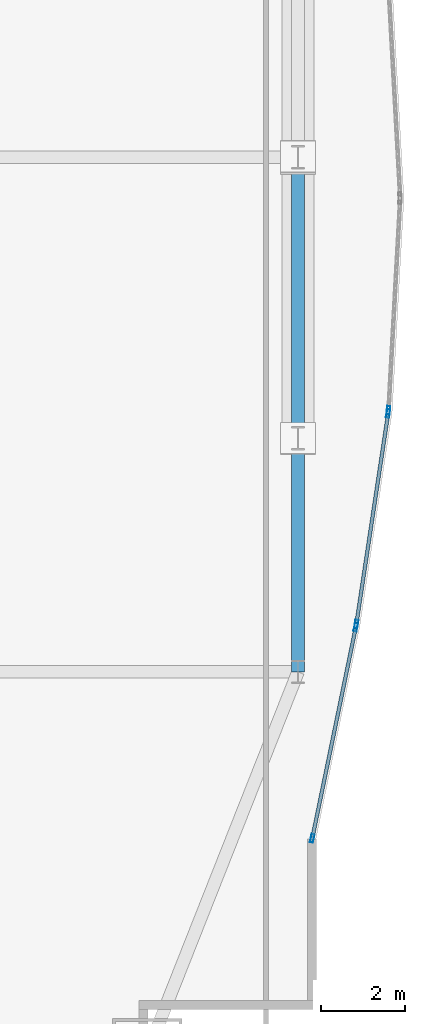
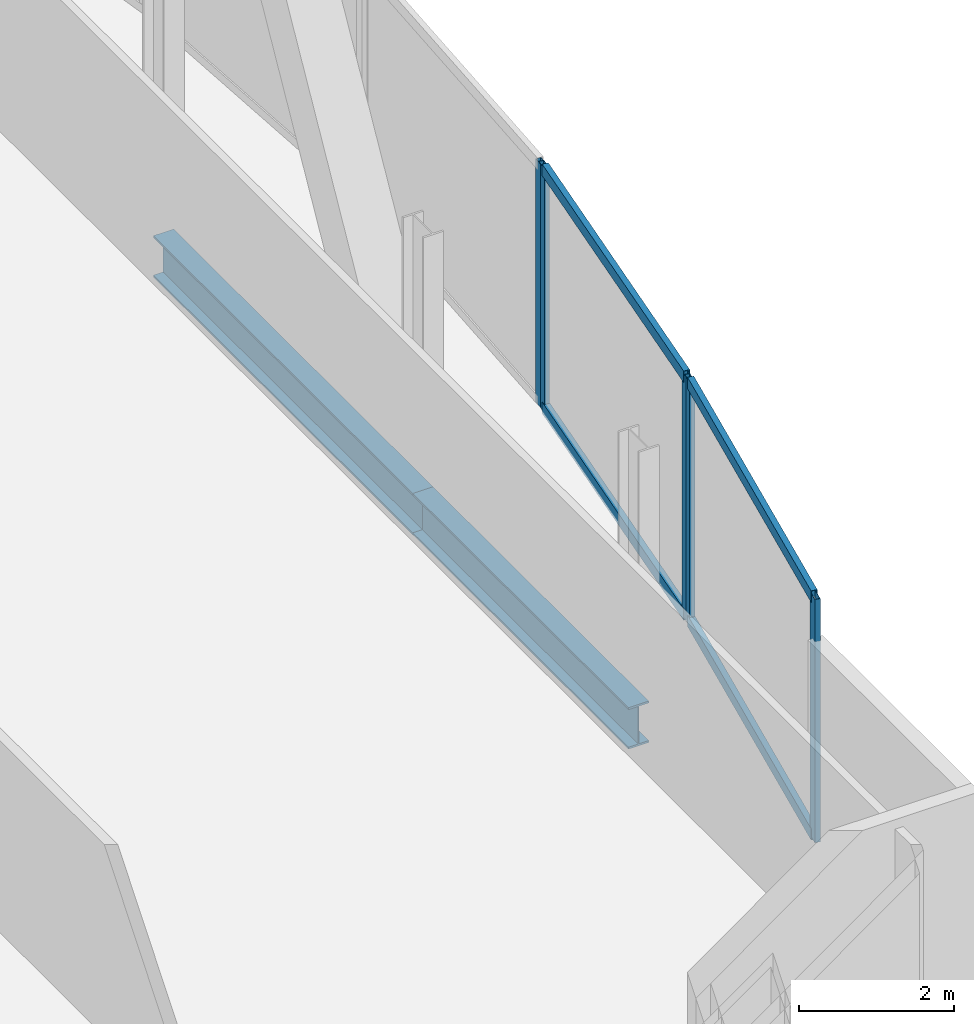
# One storey, part 22 of 36: 9 members, 2 beams, 3 elements without a shape of their own.
"""IFC4 building model written with IfcOpenShell, lengths in metres."""

from ifc_helpers import new_model, si_unit, direction, frame, origin, origin_2d, place, context, subcontext, project, spatial, hollow_rectangle, i_section, extrude, material, material_profile, profile_set, type_object, element, aggregate, save


model = new_model("IFC4")

# Units and contexts
model_context = context("Model", 3, precision=1e-05, world=origin(), true_north=direction((0.0, 1.0)))
body_context = subcontext(model_context, "Body", "Model", "MODEL_VIEW")
ifc_project = project(units=[si_unit("LENGTHUNIT", "METRE"), si_unit("AREAUNIT", "SQUARE_METRE"), si_unit("VOLUMEUNIT", "CUBIC_METRE"), si_unit("PLANEANGLEUNIT", "RADIAN"), si_unit("MASSUNIT", "GRAM", prefix="KILO")], contexts=[model_context])

# Site, building, storey
site_placement = place(None, origin())
site = spatial("IfcSite", under=ifc_project, at=site_placement, CompositionType="ELEMENT")
building_placement = place(site_placement, origin())
building = spatial("IfcBuilding", under=site, at=building_placement, Name="Khoronbel Lancet Exchange", CompositionType="ELEMENT")
storey_placement = place(building_placement, frame((0.0, 0.0, 49.800048828125)))
storey = spatial("IfcBuildingStorey", under=building, at=storey_placement, Name="L11", CompositionType="ELEMENT", Elevation=49.800048828125)

# Beams
ifc_material_1 = material(Name="Steel S355", Category="steel")
ifc_material_profile_1 = material_profile(ifc_material_1, i_section(OverallWidth=0.300048828125, OverallDepth=0.64990234375, WebThickness=0.01611328125, FlangeThickness=0.031005859375, at=origin_2d()), Name="HEB 650")
ifc_profile_set_1 = profile_set([ifc_material_profile_1], Name="Steel S355")
beam_type = type_object("IfcBeamType", Name="BM-BSP1", PredefinedType="SPANDREL", material=ifc_profile_set_1)
beam_1_placement = place(storey_placement, frame((71.6298828125, 19.199951171875, -0.505126953125), z_axis=(0.0, 1.0, 0.0), x_axis=(-1.0, 0.0, 0.0)))
element("IfcBeam", 1, at=beam_1_placement, inside=storey, type_object=beam_type, Name="Level L11 perimeter spandrel beam SP11", PredefinedType="SPANDREL", context=body_context, shape_type="SweptSolid", body=[
    extrude(i_section(OverallWidth=0.300048828125, OverallDepth=0.64990234375, WebThickness=0.01611328125, FlangeThickness=0.031005859375, at=origin_2d()), origin(), (0.0, 0.0, 1.0), 5.550048828125),
])
beam_2_placement = place(storey_placement, frame((71.6298828125, 24.75, -0.505126953125), z_axis=(0.0, 1.0, 0.0), x_axis=(-1.0, 0.0, 0.0)))
element("IfcBeam", 2, at=beam_2_placement, inside=storey, type_object=beam_type, Name="Level L11 perimeter spandrel beam SP12", PredefinedType="SPANDREL", context=body_context, shape_type="SweptSolid", body=[
    extrude(i_section(OverallWidth=0.300048828125, OverallDepth=0.64990234375, WebThickness=0.01611328125, FlangeThickness=0.031005859375, at=origin_2d()), origin(), (0.0, 0.0, 1.0), 6.675048828125),
])

# Curtain wall, member
ifc_material_2 = material(Name="Low-E Solar Control Insulating Glass", Category="glass")
curtain_wall_type = type_object("IfcCurtainWallType", Name="CW-4", PredefinedType="NOTDEFINED", material=ifc_material_2)
curtain_wall_1_placement = place(storey_placement, origin())
curtain_wall_1 = element("IfcCurtainWall", 3, at=curtain_wall_1_placement, inside=storey, type_object=curtain_wall_type, Name="Unitised curtain wall CW-L11-E20", PredefinedType="NOTDEFINED")
ifc_material_3 = material(Name="Bronze-Anodised Aluminium 6063-T6", Category="aluminium")
ifc_material_profile_2 = material_profile(ifc_material_3, hollow_rectangle(XDim=0.074951171875, YDim=0.199951171875, WallThickness=0.0048828125, at=origin_2d()), Name="ALU MULLION 75x200")
ifc_profile_set_2 = profile_set([ifc_material_profile_2], Name="Bronze-Anodised Aluminium 6063-T6")
member_type_1 = type_object("IfcMemberType", Name="MEM-CWM2", PredefinedType="MULLION", material=ifc_profile_set_2)
member_1_placement = place(storey_placement, frame((73.77783203125, 25.413330078125, 0.0), z_axis=(0.0, 0.0, 1.0), x_axis=(0.998477681335, -0.05515722869, 0.0)))
member_1 = element("IfcMember", 4, at=member_1_placement, type_object=member_type_1, Name="CW4 mullion 2", PredefinedType="MULLION", context=body_context, shape_type="SweptSolid", body=[
    extrude(hollow_rectangle(XDim=0.074951171875, YDim=0.199951171875, WallThickness=0.0048828125, at=origin_2d()), origin(), (0.0, 0.0, 1.0), 3.820068359375),
])
aggregate(curtain_wall_1, [member_1])

# Curtain wall, members
curtain_wall_2_placement = place(storey_placement, origin())
curtain_wall_2 = element("IfcCurtainWall", 5, at=curtain_wall_2_placement, inside=storey, type_object=curtain_wall_type, Name="Unitised curtain wall CW-L11-E21", PredefinedType="NOTDEFINED")
member_2_placement = place(storey_placement, frame((73.770263671875, 25.3388671875, 0.0), z_axis=(0.0, 0.0, 1.0), x_axis=(0.988799357855, -0.149250895825, 0.0)))
member_2 = element("IfcMember", 6, at=member_2_placement, type_object=member_type_1, Name="CW4 mullion 1", PredefinedType="MULLION", context=body_context, shape_type="SweptSolid", body=[
    extrude(hollow_rectangle(XDim=0.074951171875, YDim=0.199951171875, WallThickness=0.0048828125, at=origin_2d()), origin(), (0.0, 0.0, 1.0), 3.820068359375),
])
member_3_placement = place(storey_placement, frame((73.01513671875, 20.336181640625, 0.0), z_axis=(0.0, 0.0, 1.0), x_axis=(0.988799357855, -0.149250895825, 0.0)))
member_3 = element("IfcMember", 7, at=member_3_placement, type_object=member_type_1, Name="CW4 mullion 2", PredefinedType="MULLION", context=body_context, shape_type="SweptSolid", body=[
    extrude(hollow_rectangle(XDim=0.074951171875, YDim=0.199951171875, WallThickness=0.0048828125, at=origin_2d()), origin(), (0.0, 0.0, 1.0), 3.820068359375),
])

curtain_wall_3_placement = place(storey_placement, origin())
curtain_wall_3 = element("IfcCurtainWall", 8, at=curtain_wall_3_placement, inside=storey, type_object=curtain_wall_type, Name="Unitised curtain wall CW-L11-E22", PredefinedType="NOTDEFINED")
member_4_placement = place(storey_placement, frame((73.001953125, 20.262451171875, 0.0), z_axis=(0.0, 0.0, 1.0), x_axis=(0.979396974504, -0.201944463486, 0.0)))
member_4 = element("IfcMember", 9, at=member_4_placement, type_object=member_type_1, Name="CW4 mullion 1", PredefinedType="MULLION", context=body_context, shape_type="SweptSolid", body=[
    extrude(hollow_rectangle(XDim=0.074951171875, YDim=0.199951171875, WallThickness=0.0048828125, at=origin_2d()), origin(), (0.0, 0.0, 1.0), 3.820068359375),
])
member_5_placement = place(storey_placement, frame((71.967529296875, 15.245849609375, 0.0), z_axis=(0.0, 0.0, 1.0), x_axis=(0.979396974504, -0.201944463486, 0.0)))
member_5 = element("IfcMember", 10, at=member_5_placement, type_object=member_type_1, Name="CW4 mullion 2", PredefinedType="MULLION", context=body_context, shape_type="SweptSolid", body=[
    extrude(hollow_rectangle(XDim=0.074951171875, YDim=0.199951171875, WallThickness=0.0048828125, at=origin_2d()), origin(), (0.0, 0.0, 1.0), 3.820068359375),
])

# Member
ifc_material_profile_3 = material_profile(ifc_material_3, hollow_rectangle(XDim=0.0849609375, YDim=0.179931640625, WallThickness=0.0048828125, at=origin_2d()), Name="ALU TRANSOM 85x180")
ifc_profile_set_3 = profile_set([ifc_material_profile_3], Name="Bronze-Anodised Aluminium 6063-T6")
member_type_2 = type_object("IfcMemberType", Name="MEM-CWT1", PredefinedType="USERDEFINED", material=ifc_profile_set_3)
member_6_placement = place(storey_placement, frame((73.7646484375, 25.3017578125, 0.04248046875), z_axis=(-0.149248174322, -0.988799768639, 0.0), x_axis=(0.988799768639, -0.149248174322, 0.0)))
member_6 = element("IfcMember", 11, at=member_6_placement, type_object=member_type_2, Name="CW4 transom 1.1", ObjectType="TRANSOM", PredefinedType="USERDEFINED", context=body_context, shape_type="SweptSolid", body=[
    extrude(hollow_rectangle(XDim=0.0849609375, YDim=0.179931640625, WallThickness=0.0048828125, at=origin_2d()), origin(), (0.0, 0.0, 1.0), 4.984375),
])

member_7_placement = place(storey_placement, frame((73.7646484375, 25.3017578125, 3.77734375), z_axis=(-0.149248174322, -0.988799768639, 0.0), x_axis=(0.988799768639, -0.149248174322, 0.0)))
member_7 = element("IfcMember", 12, at=member_7_placement, type_object=member_type_2, Name="CW4 transom 1.2", ObjectType="TRANSOM", PredefinedType="USERDEFINED", context=body_context, shape_type="SweptSolid", body=[
    extrude(hollow_rectangle(XDim=0.0849609375, YDim=0.179931640625, WallThickness=0.0048828125, at=origin_2d()), origin(), (0.0, 0.0, 1.0), 4.984375),
])

aggregate(curtain_wall_2, [member_2, member_3, member_6, member_7])

member_8_placement = place(storey_placement, frame((72.994384765625, 20.2255859375, 0.04248046875), z_axis=(-0.201964113973, -0.979392922512, 0.0), x_axis=(0.979392922512, -0.201964113973, 0.0)))
member_8 = element("IfcMember", 13, at=member_8_placement, type_object=member_type_2, Name="CW4 transom 1.1", ObjectType="TRANSOM", PredefinedType="USERDEFINED", context=body_context, shape_type="SweptSolid", body=[
    extrude(hollow_rectangle(XDim=0.0849609375, YDim=0.179931640625, WallThickness=0.0048828125, at=origin_2d()), origin(), (0.0, 0.0, 1.0), 5.046875),
])

member_9_placement = place(storey_placement, frame((72.994384765625, 20.2255859375, 3.77734375), z_axis=(-0.201964113973, -0.979392922512, 0.0), x_axis=(0.979392922512, -0.201964113973, 0.0)))
member_9 = element("IfcMember", 14, at=member_9_placement, type_object=member_type_2, Name="CW4 transom 1.2", ObjectType="TRANSOM", PredefinedType="USERDEFINED", context=body_context, shape_type="SweptSolid", body=[
    extrude(hollow_rectangle(XDim=0.0849609375, YDim=0.179931640625, WallThickness=0.0048828125, at=origin_2d()), origin(), (0.0, 0.0, 1.0), 5.046875),
])

aggregate(curtain_wall_3, [member_4, member_5, member_8, member_9])

save(model, "model.ifc")
